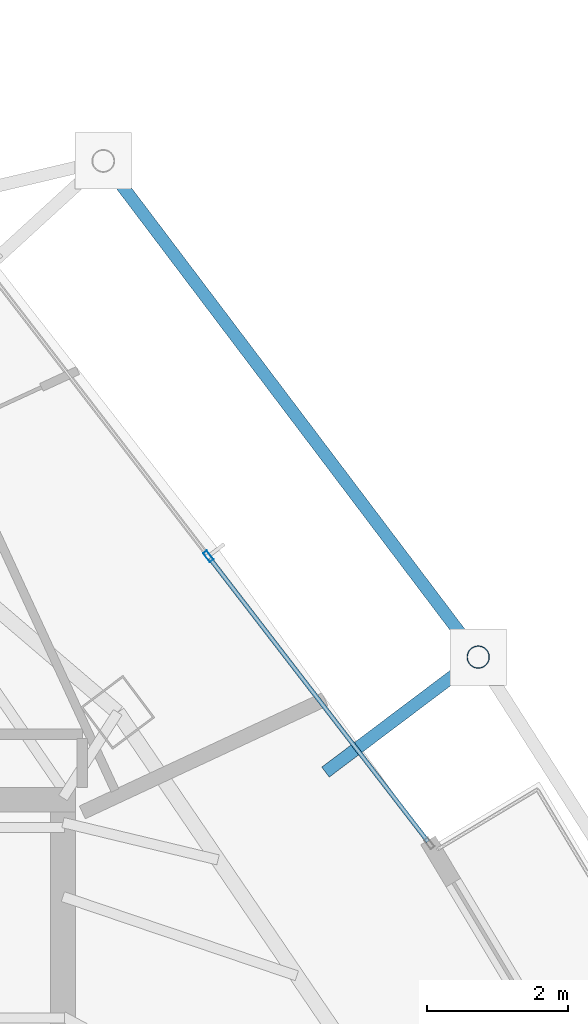
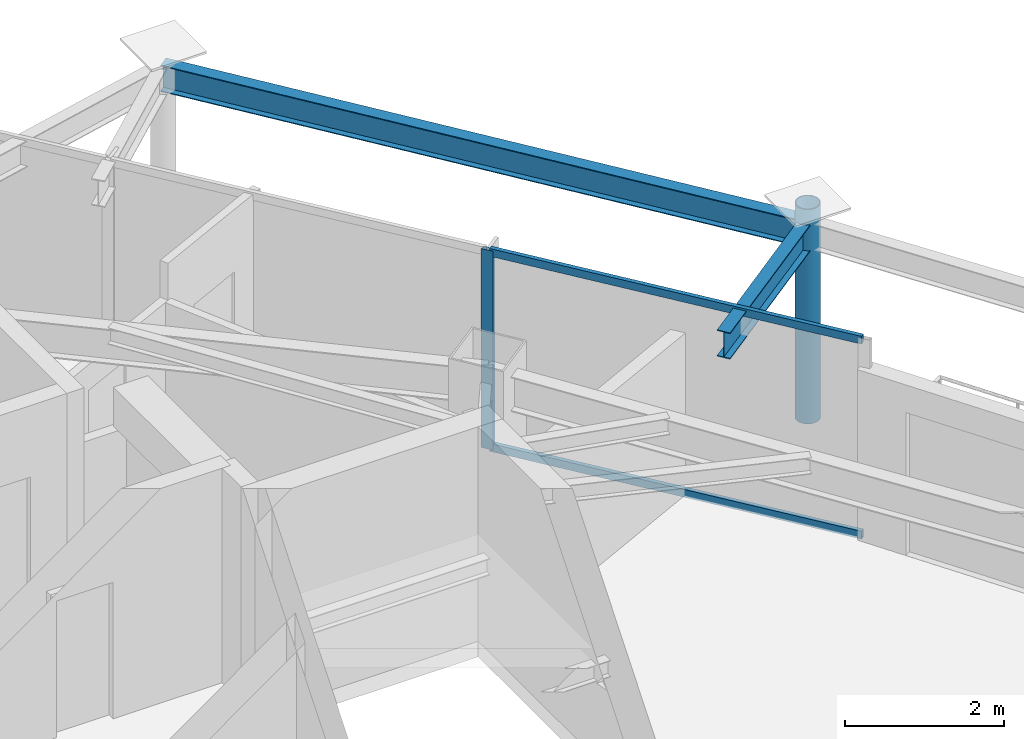
# One storey, part 27 of 34: 4 members, 2 beams, 1 element without a shape of its own.
"""IFC4 building model written with IfcOpenShell, lengths in metres."""

from ifc_helpers import new_model, si_unit, direction, frame, origin, origin_2d, place, context, subcontext, project, spatial, hollow_rectangle, hollow_circle, i_section, extrude, material, layer, layer_set, material_profile, profile_set, type_object, element, aggregate, save


model = new_model("IFC4")

# Units and contexts
model_context = context("Model", 3, precision=1e-05, world=origin(), true_north=direction((0.0, 1.0)))
body_context = subcontext(model_context, "Body", "Model", "MODEL_VIEW")
ifc_project = project(units=[si_unit("LENGTHUNIT", "METRE"), si_unit("AREAUNIT", "SQUARE_METRE"), si_unit("VOLUMEUNIT", "CUBIC_METRE"), si_unit("PLANEANGLEUNIT", "RADIAN"), si_unit("MASSUNIT", "GRAM", prefix="KILO")], contexts=[model_context])

# Site, building, storey
site_placement = place(None, origin())
site = spatial("IfcSite", under=ifc_project, at=site_placement, CompositionType="ELEMENT")
building_placement = place(site_placement, origin())
building = spatial("IfcBuilding", under=site, at=building_placement, Name="Orvanel Arch Residences", CompositionType="ELEMENT")
storey_placement = place(building_placement, frame((0.0, 0.0, 203.0)))
storey = spatial("IfcBuildingStorey", under=building, at=storey_placement, Name="L57", CompositionType="ELEMENT", Elevation=203.0)

# Curtain wall, member
ifc_material_1 = material(Name="Bronze-anodised aluminium AA6063-T6", Category="aluminium")
ifc_layer = layer(ifc_material_1, 0.175048828125)
ifc_layer_set = layer_set([ifc_layer], Name="Bronze-anodised aluminium AA6063-T6")
curtain_wall_type = type_object("IfcCurtainWallType", Name="CW4-HI-SYS", PredefinedType="NOTDEFINED", material=ifc_layer_set)
curtain_wall_placement = place(storey_placement, origin())
curtain_wall = element("IfcCurtainWall", 1, at=curtain_wall_placement, inside=storey, type_object=curtain_wall_type, Name="L57 CW4-HI-SYS Unitised Curtain Wall", PredefinedType="NOTDEFINED")
ifc_material_profile_1 = material_profile(ifc_material_1, hollow_rectangle(XDim=0.06494140625, YDim=0.159912109375, WallThickness=0.00390625, at=origin_2d()), Name="ALU160x65x4")
ifc_profile_set_1 = profile_set([ifc_material_profile_1], Name="Bronze-anodised aluminium AA6063-T6")
member_type_1 = type_object("IfcMemberType", Name="MUL-160x65", PredefinedType="MULLION", material=ifc_profile_set_1)
member_1_placement = place(storey_placement, frame((41.635986328125, 37.32470703125, 0.0), z_axis=(0.0, 0.0, 1.0), x_axis=(-0.792297867049, -0.610134485069, 0.0)))
member_1 = element("IfcMember", 2, at=member_1_placement, type_object=member_type_1, Name="CW-S4 mullion 2", PredefinedType="MULLION", context=body_context, shape_type="SweptSolid", body=[
    extrude(hollow_rectangle(XDim=0.06494140625, YDim=0.159912109375, WallThickness=0.00390625, at=origin_2d()), origin(), (0.0, 0.0, 1.0), 3.06005859375),
])

# Beams
ifc_material_2 = material(Name="Structural steel AS/NZS 3679.1 Grade 300 (300 MPa)", Category="steel")
ifc_material_profile_2 = material_profile(ifc_material_2, i_section(OverallWidth=0.177978515625, OverallDepth=0.406005859375, WebThickness=0.0078125, FlangeThickness=0.0126953125, at=origin_2d()), Name="410UB59.7")
ifc_profile_set_2 = profile_set([ifc_material_profile_2], Name="Structural steel AS/NZS 3679.1 Grade 300 (300 MPa)")
beam_type = type_object("IfcBeamType", Name="OB-410UB-EXT", PredefinedType="SPANDREL", material=ifc_profile_set_2)
beam_1_placement = place(storey_placement, frame((43.297119140625, 34.264892578125, 2.85693359375), z_axis=(0.798798987457, 0.601598019975, 0.0), x_axis=(-0.601598019975, 0.798798987457, 0.0)))
element("IfcBeam", 3, at=beam_1_placement, inside=storey, type_object=beam_type, Name="L57 Outer Frame Radial Tie Beam 11", PredefinedType="SPANDREL", context=body_context, shape_type="SweptSolid", body=[
    extrude(i_section(OverallWidth=0.177978515625, OverallDepth=0.406005859375, WebThickness=0.0078125, FlangeThickness=0.0126953125, at=origin_2d()), origin(), (0.0, 0.0, 1.0), 2.711181640625),
])
beam_2_placement = place(storey_placement, frame((45.462890625, 35.89599609375, 2.85693359375), z_axis=(-0.602880090841, 0.797831809386, 0.0), x_axis=(-0.797831809386, -0.602880090841, 0.0)))
element("IfcBeam", 4, at=beam_2_placement, inside=storey, type_object=beam_type, Name="L57 Outer Perimeter Floor Ring Beam 11", PredefinedType="SPANDREL", context=body_context, shape_type="SweptSolid", body=[
    extrude(i_section(OverallWidth=0.177978515625, OverallDepth=0.406005859375, WebThickness=0.0078125, FlangeThickness=0.0126953125, at=origin_2d()), origin(), (0.0, 0.0, 1.0), 8.817626953125),
])

# Member
ifc_material_3 = material(Name="Structural steel AS/NZS 1163 C350L0 (Grade 350)", Category="steel")
ifc_material_profile_3 = material_profile(ifc_material_3, hollow_circle(Radius=0.162109375, WallThickness=0.0126953125, at=origin_2d()), Name="CHS324x12.7")
ifc_profile_set_3 = profile_set([ifc_material_profile_3], Name="Structural steel AS/NZS 1163 C350L0 (Grade 350)")
member_type_2 = type_object("IfcMemberType", Name="ST-324CHS-EXT", PredefinedType="STRUT", material=ifc_profile_set_3)
member_2_placement = place(storey_placement, frame((45.462890625, 35.89599609375, 0.0), z_axis=(0.0, 0.0, 1.0), x_axis=(1.0, 0.0, 0.0)))
element("IfcMember", 5, at=member_2_placement, inside=storey, type_object=member_type_2, Name="L57 Outer Perimeter Frame Post 11", PredefinedType="STRUT", context=body_context, shape_type="SweptSolid", body=[
    extrude(hollow_circle(Radius=0.162109375, WallThickness=0.0126953125, at=origin_2d()), origin(), (0.0, 0.0, 1.0), 3.300048828125),
])

ifc_material_profile_4 = material_profile(ifc_material_1, hollow_rectangle(XDim=0.06005859375, YDim=0.1201171875, WallThickness=0.00341796875, at=origin_2d()), Name="ALU120x60x3.5")
ifc_profile_set_4 = profile_set([ifc_material_profile_4], Name="Bronze-anodised aluminium AA6063-T6")
member_type_3 = type_object("IfcMemberType", Name="TRN-120x60", PredefinedType="USERDEFINED", material=ifc_profile_set_4)
member_3_placement = place(storey_placement, frame((44.750244140625, 33.280517578125, 0.030029296875), z_axis=(-0.610141044028, 0.792292816068, 0.0), x_axis=(-0.792292816068, -0.610141044028, 0.0)))
member_3 = element("IfcMember", 6, at=member_3_placement, type_object=member_type_3, Name="CW-S4 transom 1.1", ObjectType="TRANSOM", PredefinedType="USERDEFINED", context=body_context, shape_type="SweptSolid", body=[
    extrude(hollow_rectangle(XDim=0.06005859375, YDim=0.1201171875, WallThickness=0.00341796875, at=origin_2d()), origin(), (0.0, 0.0, 1.0), 5.07177734375),
])

member_4_placement = place(storey_placement, frame((44.750244140625, 33.280517578125, 3.030029296875), z_axis=(-0.610141044028, 0.792292816068, 0.0), x_axis=(-0.792292816068, -0.610141044028, 0.0)))
member_4 = element("IfcMember", 7, at=member_4_placement, type_object=member_type_3, Name="CW-S4 transom 1.2", ObjectType="TRANSOM", PredefinedType="USERDEFINED", context=body_context, shape_type="SweptSolid", body=[
    extrude(hollow_rectangle(XDim=0.06005859375, YDim=0.1201171875, WallThickness=0.00341796875, at=origin_2d()), origin(), (0.0, 0.0, 1.0), 5.07177734375),
])

aggregate(curtain_wall, [member_1, member_3, member_4])

save(model, "model.ifc")
